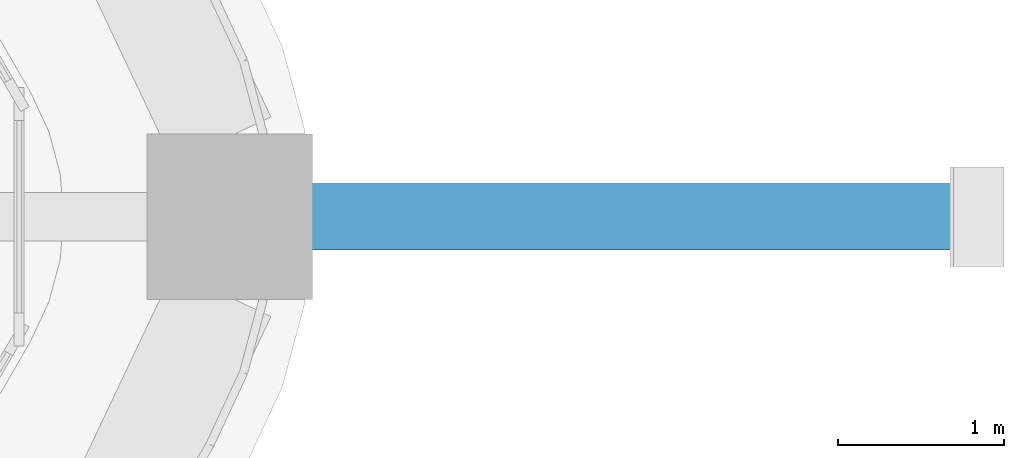
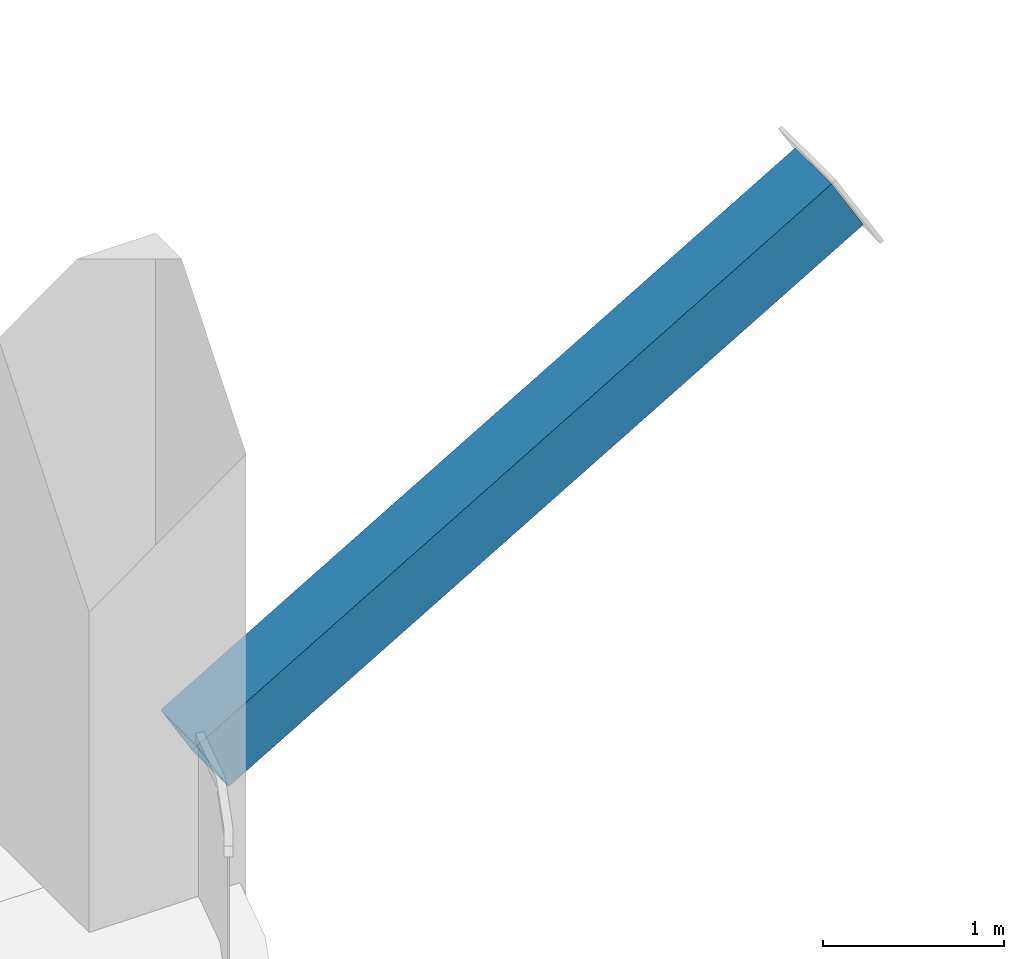
# One storey, part 5 of 16: 1 member.
"""IFC4 building model written with IfcOpenShell, lengths in metres."""

from ifc_helpers import new_model, si_unit, direction, frame, origin, origin_2d, place, context, subcontext, project, spatial, hollow_rectangle, extrude, material, material_profile, profile_set, type_object, element, save


model = new_model("IFC4")

# Units and contexts
model_context = context("Model", 3, precision=1e-05, world=origin(), true_north=direction((0.0, 1.0)))
body_context = subcontext(model_context, "Body", "Model", "MODEL_VIEW")
ifc_project = project(units=[si_unit("LENGTHUNIT", "METRE"), si_unit("AREAUNIT", "SQUARE_METRE"), si_unit("VOLUMEUNIT", "CUBIC_METRE"), si_unit("PLANEANGLEUNIT", "RADIAN"), si_unit("MASSUNIT", "GRAM", prefix="KILO")], contexts=[model_context])

# Site, building, storey
site_placement = place(None, origin())
site = spatial("IfcSite", under=ifc_project, at=site_placement, CompositionType="ELEMENT")
building_placement = place(site_placement, origin())
building = spatial("IfcBuilding", under=site, at=building_placement, Name="Kolab Exchange Tower", CompositionType="ELEMENT")
storey_placement = place(building_placement, frame((0.0, 0.0, 193.39990234375)))
storey = spatial("IfcBuildingStorey", under=building, at=storey_placement, Name="L41", CompositionType="ELEMENT", Elevation=193.39990234375)

# Member
ifc_material = material(Name="Steel S355", Category="steel")
ifc_material_profile = material_profile(ifc_material, hollow_rectangle(XDim=0.39990234375, YDim=0.39990234375, WallThickness=0.02001953125, at=origin_2d()), Name="HSS400X400X20")
ifc_profile_set = profile_set([ifc_material_profile], Name="Steel S355")
member_type = type_object("IfcMemberType", Name="LEDGE STRUT HSS400X400X20", PredefinedType="STRUT", material=ifc_profile_set)
member_placement = place(storey_placement, frame((28.2958984375, 0.0, 0.60009765625), z_axis=(0.862733263065, 0.0, 0.505659289247), x_axis=(0.0, 1.0, 0.0)))
element("IfcMember", 1, at=member_placement, inside=storey, type_object=member_type, Name="mem/L41/ledge/strut-0", PredefinedType="STRUT", context=body_context, shape_type="SweptSolid", body=[
    extrude(hollow_rectangle(XDim=0.39990234375, YDim=0.39990234375, WallThickness=0.02001953125, at=origin_2d()), origin(), (0.0, 0.0, 1.0), 4.682861328125),
])

save(model, "model.ifc")
